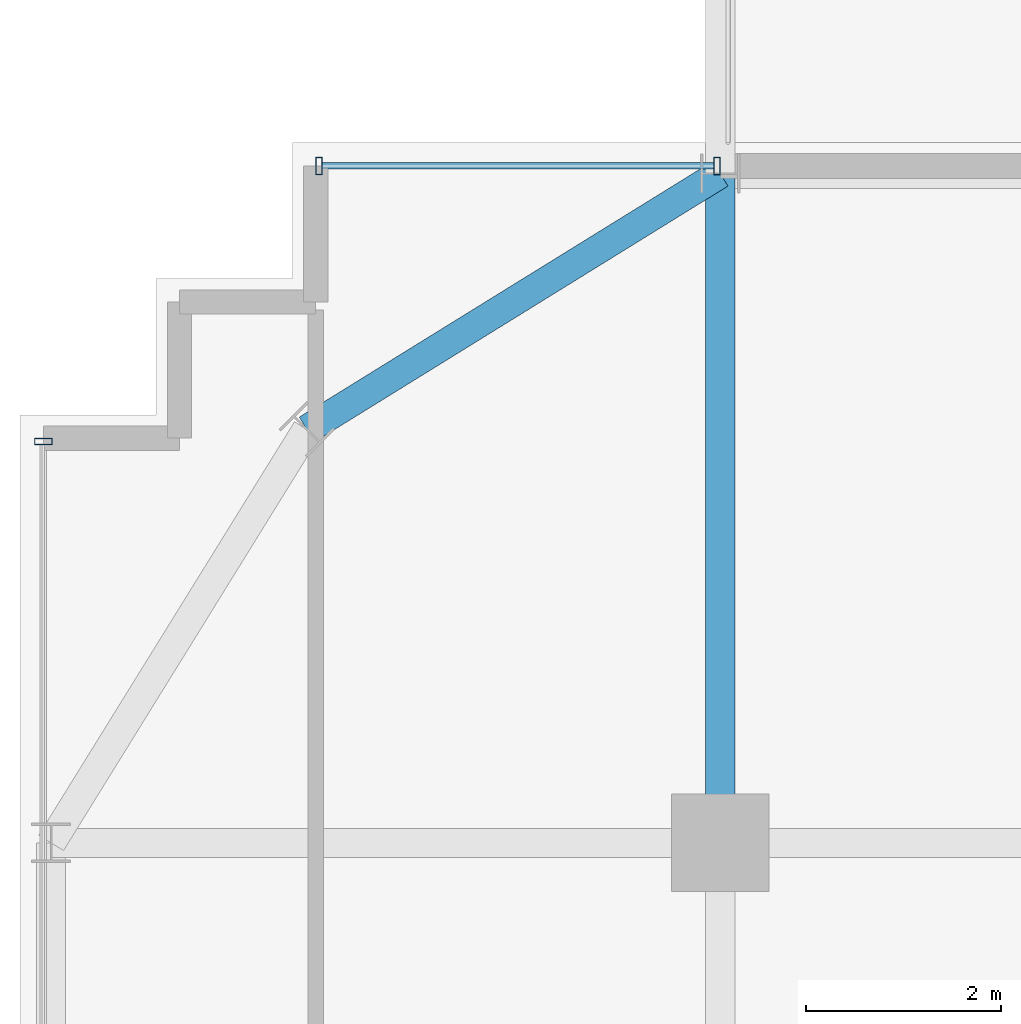
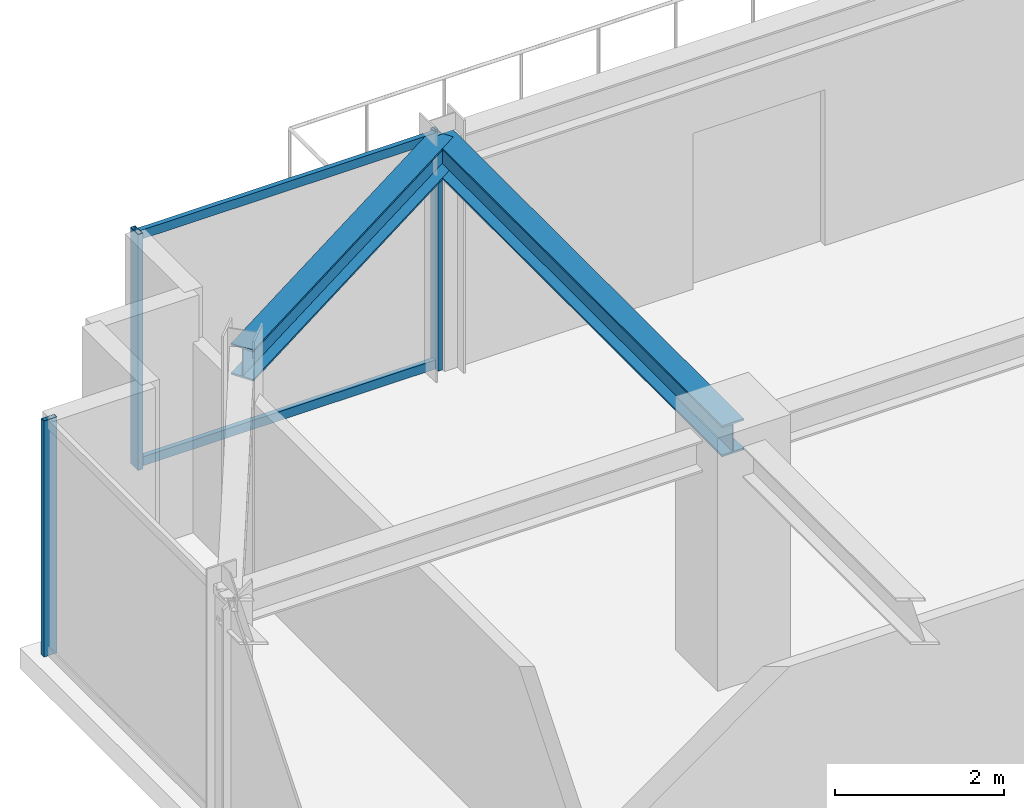
# One storey, part 20 of 36: 5 members, 2 beams, 2 elements without a shape of their own.
"""IFC4 building model written with IfcOpenShell, lengths in metres."""

from ifc_helpers import new_model, si_unit, direction, frame, origin, origin_2d, place, context, subcontext, project, spatial, hollow_rectangle, i_section, extrude, source, transform, mapped, material, material_profile, profile_set, type_object, element, aggregate, save


model = new_model("IFC4")

# Units and contexts
model_context = context("Model", 3, precision=1e-05, world=origin(), true_north=direction((0.0, 1.0)))
body_context = subcontext(model_context, "Body", "Model", "MODEL_VIEW")
ifc_project = project(units=[si_unit("LENGTHUNIT", "METRE"), si_unit("AREAUNIT", "SQUARE_METRE"), si_unit("VOLUMEUNIT", "CUBIC_METRE"), si_unit("PLANEANGLEUNIT", "RADIAN"), si_unit("MASSUNIT", "GRAM", prefix="KILO")], contexts=[model_context])

# Site, building, storey
site_placement = place(None, origin())
site = spatial("IfcSite", under=ifc_project, at=site_placement, CompositionType="ELEMENT")
building_placement = place(site_placement, origin())
building = spatial("IfcBuilding", under=site, at=building_placement, Name="Nahalor Promenade Grand Hotel", CompositionType="ELEMENT")
storey_placement = place(building_placement, frame((0.0, 0.0, 219.699951171875)))
storey = spatial("IfcBuildingStorey", under=building, at=storey_placement, Name="L56", CompositionType="ELEMENT", Elevation=219.699951171875)

# Beams
ifc_material_1 = material(Name="Steel S355JR", Category="steel")
ifc_material_profile_1 = material_profile(ifc_material_1, i_section(OverallWidth=0.3, OverallDepth=0.45, WebThickness=0.014, FlangeThickness=0.026, at=origin_2d()), Name="HEB 450")
ifc_profile_set_1 = profile_set([ifc_material_profile_1], Name="Steel S355JR")
beam_type_1 = type_object("IfcBeamType", Name="Beam-Spandrel-HEB450", PredefinedType="SPANDREL", material=ifc_profile_set_1)
shared_shape_1 = source(origin(), body_context, "Body", "SweptSolid", [
    extrude(i_section(OverallWidth=0.3, OverallDepth=0.45, WebThickness=0.014, FlangeThickness=0.026, at=origin_2d()), origin(), (0.0, 0.0, 1.0), 4.997802734375),
])
beam_1_placement = place(storey_placement, frame((-17.0, 23.8798828125, 3.18505859375), z_axis=(-0.850360908404, -0.526199891161, 0.0), x_axis=(0.526199891161, -0.850360908404, 0.0)))
element("IfcBeam", 1, at=beam_1_placement, inside=storey, type_object=beam_type_1, Name="BM-L56-SPC-NW-1", PredefinedType="SPANDREL", context=body_context, shape_type="MappedRepresentation", body=[
    mapped(shared_shape_1, transform((0.0, 0.0, 0.0), scale=1.0)),
])
ifc_material_profile_2 = material_profile(ifc_material_1, i_section(OverallWidth=0.3, OverallDepth=0.45, WebThickness=0.014, FlangeThickness=0.026, at=origin_2d()), Name="HEB 450")
ifc_profile_set_2 = profile_set([ifc_material_profile_2], Name="Steel S355JR")
beam_type_2 = type_object("IfcBeamType", Name="Beam-Girder-HEB450", PredefinedType="BEAM", material=ifc_profile_set_2)
shared_shape_2 = source(origin(), body_context, "Body", "SweptSolid", [
    extrude(i_section(OverallWidth=0.3, OverallDepth=0.45, WebThickness=0.014, FlangeThickness=0.026, at=origin_2d()), origin(), (0.0, 0.0, 1.0), 6.8798828125),
])
beam_2_placement = place(storey_placement, frame((-17.0, 17.0, 3.18505859375), z_axis=(0.0, 1.0, 0.0), x_axis=(-1.0, 0.0, 0.0)))
element("IfcBeam", 2, at=beam_2_placement, inside=storey, type_object=beam_type_2, Name="BM-L56-GY-0-4", PredefinedType="BEAM", context=body_context, shape_type="MappedRepresentation", body=[
    mapped(shared_shape_2, transform((0.0, 0.0, 0.0), scale=1.0)),
])

# Curtain wall, members
ifc_material_2 = material(Name="Anodised Bronze Aluminium EN AW-6063 T6", Category="aluminium")
curtain_wall_type = type_object("IfcCurtainWallType", Name="CW2 Typical Hotel Flush Bronze Unitised Curtain Wall", PredefinedType="USERDEFINED", material=ifc_material_2)
curtain_wall_1_placement = place(storey_placement, origin())
curtain_wall_1 = element("IfcCurtainWall", 3, at=curtain_wall_1_placement, inside=storey, type_object=curtain_wall_type, Name="L56 Curtain Wall CW-L56-N-1", ObjectType="UNITISED_CURTAIN_WALL", PredefinedType="USERDEFINED")
ifc_material_profile_3 = material_profile(ifc_material_2, hollow_rectangle(XDim=0.065, YDim=0.18, WallThickness=0.004, at=origin_2d()), Name="CWM 65x180x4")
ifc_profile_set_3 = profile_set([ifc_material_profile_3], Name="Anodised Bronze Aluminium EN AW-6063 T6")
member_type_1 = type_object("IfcMemberType", Name="CWM2 Typical Bronze Mullion 65x180", PredefinedType="MULLION", material=ifc_profile_set_3)
shared_shape_3 = source(origin(), body_context, "Body", "SweptSolid", [
    extrude(hollow_rectangle(XDim=0.065, YDim=0.18, WallThickness=0.004, at=origin_2d()), origin(), (0.0, 0.0, 1.0), 3.41015625),
])
member_1_placement = place(storey_placement, frame((-21.12744140625, 23.9599609375, 0.0), z_axis=(0.0, 0.0, 1.0), x_axis=(1.0, 0.0, 0.0)))
member_1 = element("IfcMember", 4, at=member_1_placement, type_object=member_type_1, Name="CW-L56-N-1 Mullion 0", PredefinedType="MULLION", context=body_context, shape_type="MappedRepresentation", body=[
    mapped(shared_shape_3, transform((0.0, 0.0, 0.0), scale=1.0)),
])
member_2_placement = place(storey_placement, frame((-17.032470703125, 23.9599609375, 0.0), z_axis=(0.0, 0.0, 1.0), x_axis=(1.0, 0.0, 0.0)))
member_2 = element("IfcMember", 5, at=member_2_placement, type_object=member_type_1, Name="CW-L56-N-1 Mullion 1", PredefinedType="MULLION", context=body_context, shape_type="MappedRepresentation", body=[
    mapped(shared_shape_3, transform((0.0, 0.0, 0.0), scale=1.0)),
])

# Curtain wall, member
curtain_wall_2_placement = place(storey_placement, origin())
curtain_wall_2 = element("IfcCurtainWall", 6, at=curtain_wall_2_placement, inside=storey, type_object=curtain_wall_type, Name="L56 Curtain Wall CW-L56-W-1", ObjectType="UNITISED_CURTAIN_WALL", PredefinedType="USERDEFINED")
member_3_placement = place(storey_placement, frame((-23.9599609375, 21.12744140625, 0.0), z_axis=(0.0, 0.0, 1.0), x_axis=(0.0, 1.0, 0.0)))
member_3 = element("IfcMember", 7, at=member_3_placement, type_object=member_type_1, Name="CW-L56-W-1 Mullion 4", PredefinedType="MULLION", context=body_context, shape_type="MappedRepresentation", body=[
    mapped(shared_shape_3, transform((0.0, 0.0, 0.0), scale=1.0)),
])
aggregate(curtain_wall_2, [member_3])

# Member
ifc_material_profile_4 = material_profile(ifc_material_2, hollow_rectangle(XDim=0.065, YDim=0.13, WallThickness=0.004, at=origin_2d()), Name="CWT 65x130x4")
ifc_profile_set_4 = profile_set([ifc_material_profile_4], Name="Anodised Bronze Aluminium EN AW-6063 T6")
member_type_2 = type_object("IfcMemberType", Name="CWT2 Typical Bronze Transom 65x130", PredefinedType="USERDEFINED", material=ifc_profile_set_4)
shared_shape_4 = source(origin(), body_context, "Body", "SweptSolid", [
    extrude(hollow_rectangle(XDim=0.065, YDim=0.13, WallThickness=0.004, at=origin_2d()), origin(), (0.0, 0.0, 1.0), 4.030029296875),
])
member_4_placement = place(storey_placement, frame((-21.094970703125, 23.9599609375, 0.06494140625), z_axis=(1.0, 0.0, 0.0), x_axis=(0.0, 1.0, 0.0)))
member_4 = element("IfcMember", 8, at=member_4_placement, type_object=member_type_2, Name="CW-L56-N-1 Transom 0-0", ObjectType="TRANSOM", PredefinedType="USERDEFINED", context=body_context, shape_type="MappedRepresentation", body=[
    mapped(shared_shape_4, transform((0.0, 0.0, 0.0), scale=1.0)),
])

member_5_placement = place(storey_placement, frame((-21.094970703125, 23.9599609375, 3.344970703125), z_axis=(1.0, 0.0, 0.0), x_axis=(0.0, 1.0, 0.0)))
member_5 = element("IfcMember", 9, at=member_5_placement, type_object=member_type_2, Name="CW-L56-N-1 Transom 0-1", ObjectType="TRANSOM", PredefinedType="USERDEFINED", context=body_context, shape_type="MappedRepresentation", body=[
    mapped(shared_shape_4, transform((0.0, 0.0, 0.0), scale=1.0)),
])

aggregate(curtain_wall_1, [member_1, member_2, member_4, member_5])

save(model, "model.ifc")
